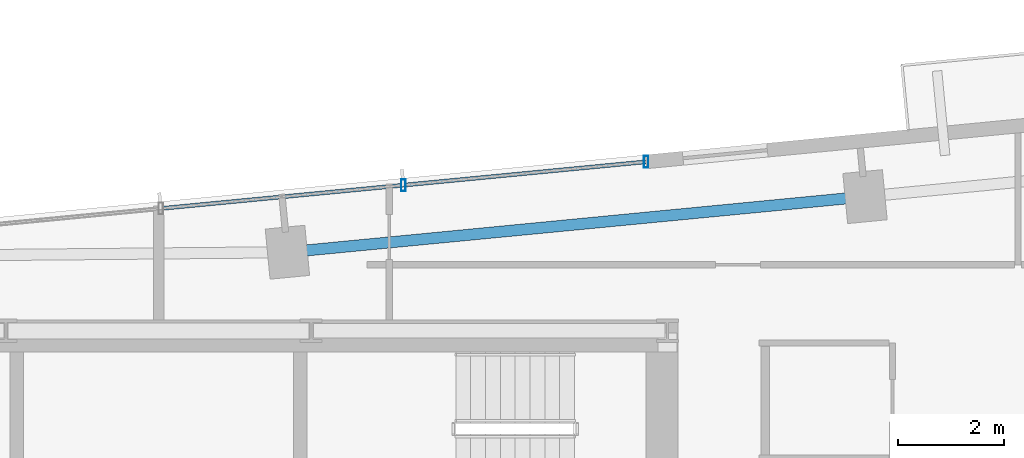
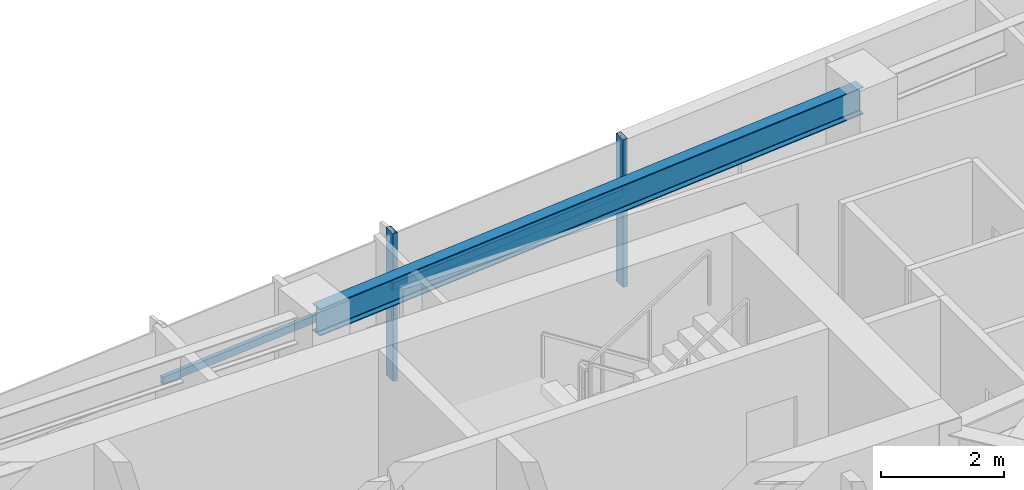
# One storey, part 7 of 18: 4 members, 1 beam, 1 element without a shape of its own.
"""IFC4 building model written with IfcOpenShell, lengths in metres."""

from ifc_helpers import new_model, si_unit, direction, frame, origin, origin_2d, place, context, subcontext, project, spatial, hollow_rectangle, i_section, extrude, source, transform, mapped, material, material_profile, profile_set, type_object, type_shapes, element, aggregate, save


model = new_model("IFC4")

# Units and contexts
model_context = context("Model", 3, precision=1e-05, world=origin(), true_north=direction((0.0, 1.0)))
body_context = subcontext(model_context, "Body", "Model", "MODEL_VIEW")
ifc_project = project(units=[si_unit("LENGTHUNIT", "METRE"), si_unit("AREAUNIT", "SQUARE_METRE"), si_unit("VOLUMEUNIT", "CUBIC_METRE"), si_unit("PLANEANGLEUNIT", "RADIAN"), si_unit("MASSUNIT", "GRAM", prefix="KILO")], contexts=[model_context])

# Site, building, storey
site_placement = place(None, origin())
site = spatial("IfcSite", under=ifc_project, at=site_placement, CompositionType="ELEMENT")
building_placement = place(site_placement, origin())
building = spatial("IfcBuilding", under=site, at=building_placement, Name="Astriad Promenade Condominiums", CompositionType="ELEMENT")
storey_placement = place(building_placement, frame((0.0, 0.0, 189.0)))
storey = spatial("IfcBuildingStorey", under=building, at=storey_placement, Name="L54", CompositionType="ELEMENT", Elevation=189.0)

# Beam
ifc_material_1 = material(Name="Steel ASTM A992 Grade 50", Category="steel")
ifc_material_profile_1 = material_profile(ifc_material_1, i_section(OverallWidth=0.210693359375, OverallDepth=0.53955078125, WebThickness=0.01171875, FlangeThickness=0.018798828125, FilletRadius=0.0166015625, at=origin_2d()), Name="W21X73")
ifc_profile_set_1 = profile_set([ifc_material_profile_1], Name="Steel ASTM A992 Grade 50")
beam_type = type_object("IfcBeamType", Name="STEEL SPANDREL BEAM W21X73", PredefinedType="SPANDREL", material=ifc_profile_set_1)
shared_shape_1 = source(origin(), body_context, "Body", "SweptSolid", [
    extrude(i_section(OverallWidth=0.210693359375, OverallDepth=0.53955078125, WebThickness=0.01171875, FlangeThickness=0.018798828125, FilletRadius=0.0166015625, at=origin_2d()), origin(), (0.0, 0.0, 1.0), 10.869873046875),
])
type_shapes(beam_type, [shared_shape_1])
beam_placement = place(storey_placement, frame((49.291015625, 26.52880859375, 2.67041015625), z_axis=(-0.995394779798, -0.09586048378, 0.0), x_axis=(0.09586048378, -0.995394779798, 0.0)))
element("IfcBeam", 1, at=beam_placement, inside=storey, type_object=beam_type, Name="Perimeter Spandrel Beam SP-N3-L54", PredefinedType="SPANDREL", context=body_context, shape_type="MappedRepresentation", body=[
    mapped(shared_shape_1, transform((0.0, 0.0, 0.0), scale=1.0)),
])

# Curtain wall, members
ifc_material_2 = material(Name="Anodised aluminium Black Dark Glass Unitised", Category="aluminium")
curtain_wall_type = type_object("IfcCurtainWallType", Name="CW-B34-DARK", PredefinedType="USERDEFINED", material=ifc_material_2)
curtain_wall_placement = place(storey_placement, origin())
curtain_wall = element("IfcCurtainWall", 2, at=curtain_wall_placement, inside=storey, type_object=curtain_wall_type, Name="CW-L54-N", ObjectType="UNITISED_CURTAIN_WALL", PredefinedType="USERDEFINED")
ifc_material_3 = material(Name="Anodised aluminium 6063-T6 Black", Category="aluminium")
ifc_material_profile_2 = material_profile(ifc_material_3, hollow_rectangle(XDim=0.0849609375, YDim=0.219970703125, WallThickness=0.0048828125, at=origin_2d()), Name="ALU-MUL-85X220")
ifc_profile_set_2 = profile_set([ifc_material_profile_2], Name="Anodised aluminium 6063-T6 Black")
member_type_1 = type_object("IfcMemberType", Name="MUL-ALU-MUL-85X220", PredefinedType="MULLION", material=ifc_profile_set_2)
shared_shape_2 = source(origin(), body_context, "Body", "SweptSolid", [
    extrude(hollow_rectangle(XDim=0.0849609375, YDim=0.219970703125, WallThickness=0.0048828125, at=origin_2d()), origin(), (0.0, 0.0, 1.0), 2.93994140625),
])
type_shapes(member_type_1, [shared_shape_2])
member_1_placement = place(storey_placement, frame((40.6201171875, 26.748779296875, 0.0), z_axis=(0.0, 0.0, 1.0), x_axis=(1.0, 0.0, 0.0)))
member_1 = element("IfcMember", 3, at=member_1_placement, type_object=member_type_1, Name="CW-L54-N-MUL-02", PredefinedType="MULLION", context=body_context, shape_type="MappedRepresentation", body=[
    mapped(shared_shape_2, transform((0.0, 0.0, 0.0), scale=1.0)),
])
member_2_placement = place(storey_placement, frame((45.198974609375, 27.189697265625, 0.0), z_axis=(0.0, 0.0, 1.0), x_axis=(1.0, 0.0, 0.0)))
member_2 = element("IfcMember", 4, at=member_2_placement, type_object=member_type_1, Name="CW-L54-N-MUL-03", PredefinedType="MULLION", context=body_context, shape_type="MappedRepresentation", body=[
    mapped(shared_shape_2, transform((0.0, 0.0, 0.0), scale=1.0)),
])
ifc_material_profile_3 = material_profile(ifc_material_3, hollow_rectangle(XDim=0.074951171875, YDim=0.14990234375, WallThickness=0.004150390625, at=origin_2d()), Name="ALU-TRN-75X150")
ifc_profile_set_3 = profile_set([ifc_material_profile_3], Name="Anodised aluminium 6063-T6 Black")
member_type_2 = type_object("IfcMemberType", Name="TRN-ALU-TRN-75X150", PredefinedType="USERDEFINED", material=ifc_profile_set_3)
shared_shape_3 = source(origin(), body_context, "Body", "SweptSolid", [
    extrude(hollow_rectangle(XDim=0.074951171875, YDim=0.14990234375, WallThickness=0.004150390625, at=origin_2d()), origin(), (0.0, 0.0, 1.0), 4.60009765625),
])
type_shapes(member_type_2, [shared_shape_3])
member_3_placement = place(storey_placement, frame((36.041259765625, 26.307861328125, 1.82275390625), z_axis=(0.995395697572, 0.095850953336, 0.0), x_axis=(-0.095850953336, 0.995395697572, 0.0)))
member_3 = element("IfcMember", 5, at=member_3_placement, type_object=member_type_2, Name="CW-L54-N-TRN-01-0", ObjectType="TRANSOM", PredefinedType="USERDEFINED", context=body_context, shape_type="MappedRepresentation", body=[
    mapped(shared_shape_3, transform((0.0, 0.0, 0.0), scale=1.0)),
])
member_4_placement = place(storey_placement, frame((40.6201171875, 26.748779296875, 1.82275390625), z_axis=(0.995395697572, 0.095850953336, 0.0), x_axis=(-0.095850953336, 0.995395697572, 0.0)))
member_4 = element("IfcMember", 6, at=member_4_placement, type_object=member_type_2, Name="CW-L54-N-TRN-02-0", ObjectType="TRANSOM", PredefinedType="USERDEFINED", context=body_context, shape_type="MappedRepresentation", body=[
    mapped(shared_shape_3, transform((0.0, 0.0, 0.0), scale=1.0)),
])
aggregate(curtain_wall, [member_1, member_2, member_3, member_4])

save(model, "model.ifc")
